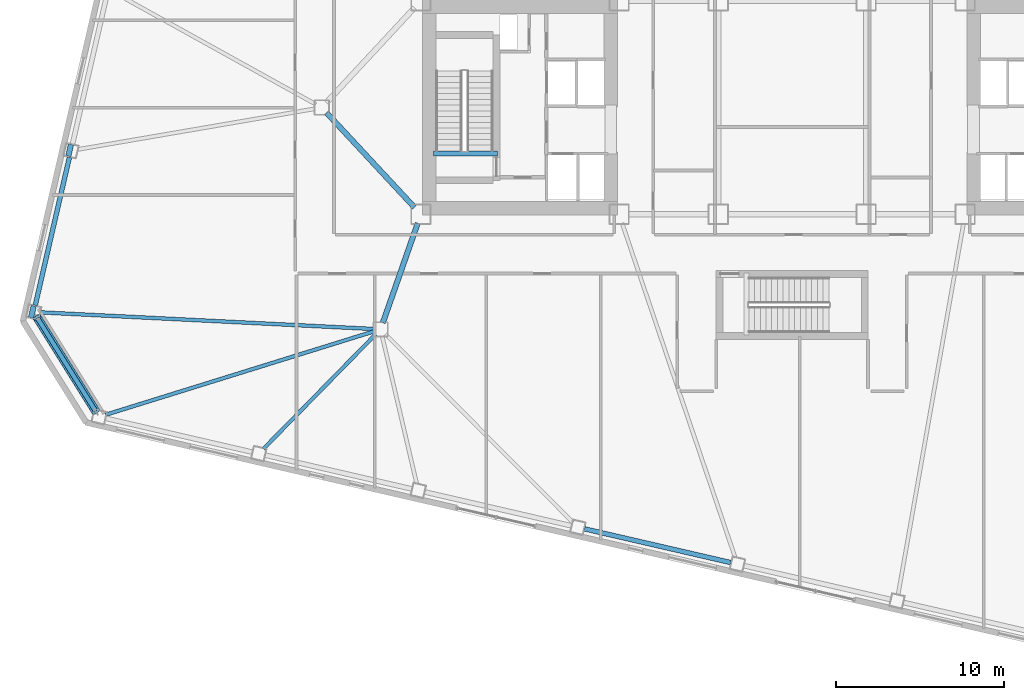
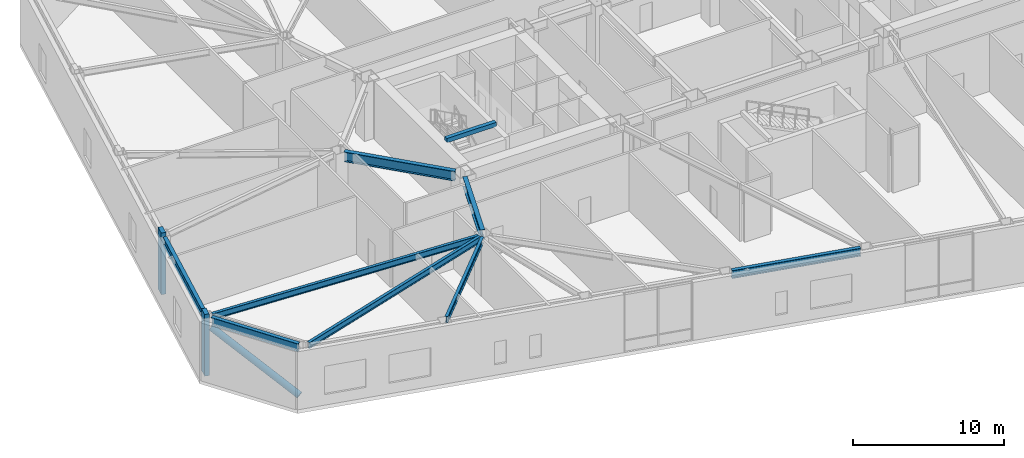
# One storey, part 3 of 20: 9 beams, 3 members.
"""IFC4 building model written with IfcOpenShell, lengths in metres."""

from ifc_helpers import new_model, si_unit, direction, frame, origin, origin_2d, place, context, subcontext, project, spatial, rectangle, hollow_circle, i_section, extrude, material, material_profile, profile_set, type_object, element, save


model = new_model("IFC4")

# Units and contexts
model_context = context("Model", 3, precision=1e-05, world=origin(), true_north=direction((0.0, 1.0)))
body_context = subcontext(model_context, "Body", "Model", "MODEL_VIEW")
ifc_project = project(units=[si_unit("LENGTHUNIT", "METRE"), si_unit("AREAUNIT", "SQUARE_METRE"), si_unit("VOLUMEUNIT", "CUBIC_METRE"), si_unit("PLANEANGLEUNIT", "RADIAN"), si_unit("MASSUNIT", "GRAM", prefix="KILO")], contexts=[model_context])

# Site, building, storey
site_placement = place(None, origin())
site = spatial("IfcSite", under=ifc_project, at=site_placement, CompositionType="ELEMENT")
building_placement = place(site_placement, origin())
building = spatial("IfcBuilding", under=site, at=building_placement, Name="Tavrogorsk Clinical Tower", CompositionType="ELEMENT")
storey_placement = place(building_placement, frame((0.0, 0.0, 13.39990234375)))
storey = spatial("IfcBuildingStorey", under=building, at=storey_placement, Name="L02", CompositionType="ELEMENT", Elevation=13.39990234375)

# Member
ifc_material_1 = material(Name="Structural steel S440", Category="steel")
ifc_material_profile_1 = material_profile(ifc_material_1, hollow_circle(Radius=0.25390625, WallThickness=0.02001953125, at=origin_2d()), Name="CHS-508x20")
ifc_profile_set_1 = profile_set([ifc_material_profile_1], Name="Structural steel S440")
member_type_1 = type_object("IfcMemberType", Name="ExoBrace_CHS508", PredefinedType="BRACE", material=ifc_profile_set_1)
member_placement = place(storey_placement, frame((-41.4443359375, -18.096923828125, 0.4833984375), z_axis=(-0.473378094772, 0.757569547634, 0.449445836434), x_axis=(-0.848050056862, -0.529916126436, 0.0)))
element("IfcMember", 1, at=member_placement, inside=storey, type_object=member_type_1, Name="L02 Corner Exoskeleton Brace W5-S1", PredefinedType="BRACE", context=body_context, shape_type="SweptSolid", body=[
    extrude(hollow_circle(Radius=0.25390625, WallThickness=0.02001953125, at=origin_2d()), origin(), (0.0, 0.0, 1.0), 7.416259765625),
])

# Beams
ifc_material_2 = material(Name="Structural steel S355", Category="steel")
ifc_material_profile_2 = material_profile(ifc_material_2, i_section(OverallWidth=0.219970703125, OverallDepth=0.5, WebThickness=0.012939453125, FlangeThickness=0.02001953125, at=origin_2d()), Name="B-500x220x13x20")
ifc_profile_set_2 = profile_set([ifc_material_profile_2], Name="Structural steel S355")
beam_type_1 = type_object("IfcBeamType", Name="FloorBeam_B500", PredefinedType="BEAM", material=ifc_profile_set_2)
beam_1_placement = place(storey_placement, frame((-24.8916015625, -13.32177734375, 4.4501953125), z_axis=(-0.954946638684, -0.296777555193, 0.0), x_axis=(0.296777555193, -0.954946638684, 0.0)))
element("IfcBeam", 2, at=beam_1_placement, inside=storey, type_object=beam_type_1, Name="L02 Radial Floor Beam S1", PredefinedType="BEAM", context=body_context, shape_type="SweptSolid", body=[
    extrude(i_section(OverallWidth=0.219970703125, OverallDepth=0.5, WebThickness=0.012939453125, FlangeThickness=0.02001953125, at=origin_2d()), origin(), (0.0, 0.0, 1.0), 16.723388671875),
])
beam_2_placement = place(storey_placement, frame((-24.787109375, -13.492919921875, 4.4501953125), z_axis=(-0.699997226081, -0.714145561828, 0.0), x_axis=(0.714145561828, -0.699997226081, 0.0)))
element("IfcBeam", 3, at=beam_2_placement, inside=storey, type_object=beam_type_1, Name="L02 Radial Floor Beam S2", PredefinedType="BEAM", context=body_context, shape_type="SweptSolid", body=[
    extrude(i_section(OverallWidth=0.219970703125, OverallDepth=0.5, WebThickness=0.012939453125, FlangeThickness=0.02001953125, at=origin_2d()), origin(), (0.0, 0.0, 1.0), 9.54248046875),
])
beam_3_placement = place(storey_placement, frame((-24.909423828125, -13.179443359375, 4.4501953125), z_axis=(-0.998757515428, 0.049833978136, 0.0), x_axis=(-0.049833978136, -0.998757515428, 0.0)))
element("IfcBeam", 4, at=beam_3_placement, inside=storey, type_object=beam_type_1, Name="L02 Radial Floor Beam W5", PredefinedType="BEAM", context=body_context, shape_type="SweptSolid", body=[
    extrude(i_section(OverallWidth=0.219970703125, OverallDepth=0.5, WebThickness=0.012939453125, FlangeThickness=0.02001953125, at=origin_2d()), origin(), (0.0, 0.0, 1.0), 19.85595703125),
])

# Members
ifc_material_3 = material(Name="Precast concrete B45 with limestone cladding", Category="masonry")
ifc_material_profile_3 = material_profile(ifc_material_3, rectangle(XDim=0.320068359375, YDim=0.719970703125, at=origin_2d()), Name="LIMESTONE-FIN-320x720")
ifc_profile_set_3 = profile_set([ifc_material_profile_3], Name="Precast concrete B45 with limestone cladding")
member_type_2 = type_object("IfcMemberType", Name="LimestonePleatFin_320x720", PredefinedType="USERDEFINED", material=ifc_profile_set_3)
for number, where, z_axis, x_axis, name in (
    (5, (-43.008056640625, -2.544189453125, 0.0), (0.0, 0.0, 1.0), (0.974370064785, -0.224951054344, 0.0), "L02 W Pleated Stone Fin 3"),
    (6, (-45.226318359375, -12.151611328125, 0.0), (0.0, 0.0, 1.0), (0.974370064785, -0.224951054344, 0.0), "L02 W Pleated Stone Fin 4"),
):
    element("IfcMember", number, at=place(storey_placement, frame(where, z_axis=z_axis, x_axis=x_axis)), inside=storey, type_object=member_type_2, Name=name, ObjectType="FIN", PredefinedType="USERDEFINED", context=body_context, shape_type="SweptSolid", body=[
        extrude(rectangle(XDim=0.320068359375, YDim=0.719970703125, at=origin_2d()), origin(), (0.0, 0.0, 1.0), 5.0),
    ])

# Beams
ifc_material_4 = material(Name="Structural steel S390", Category="steel")
ifc_material_profile_4 = material_profile(ifc_material_4, i_section(OverallWidth=0.320068359375, OverallDepth=0.800048828125, WebThickness=0.02001953125, FlangeThickness=0.033935546875, at=origin_2d()), Name="B-800x320x20x34")
ifc_profile_set_4 = profile_set([ifc_material_profile_4], Name="Structural steel S390")
beam_type_2 = type_object("IfcBeamType", Name="PrimaryGirder_B800", PredefinedType="USERDEFINED", material=ifc_profile_set_4)
beam_4_placement = place(storey_placement, frame((-24.364501953125, -12.81298828125, 4.300048828125), z_axis=(0.330668611543, 0.943746930771, 0.0), x_axis=(-0.943746930771, 0.330668611543, 0.0)))
element("IfcBeam", 7, at=beam_4_placement, inside=storey, type_object=beam_type_2, Name="L02 Spine Link Girder OPG-1", ObjectType="GIRDER", PredefinedType="USERDEFINED", context=body_context, shape_type="SweptSolid", body=[
    extrude(i_section(OverallWidth=0.320068359375, OverallDepth=0.800048828125, WebThickness=0.02001953125, FlangeThickness=0.033935546875, at=origin_2d()), origin(), (0.0, 0.0, 1.0), 6.288330078125),
])
beam_5_placement = place(storey_placement, frame((-27.720947265625, -0.30029296875, 4.300048828125), z_axis=(0.680671250221, -0.732589004233, 0.0), x_axis=(0.732589004233, 0.680671250221, 0.0)))
element("IfcBeam", 8, at=beam_5_placement, inside=storey, type_object=beam_type_2, Name="L02 Spine Link Girder OPG-5", ObjectType="GIRDER", PredefinedType="USERDEFINED", context=body_context, shape_type="SweptSolid", body=[
    extrude(i_section(OverallWidth=0.320068359375, OverallDepth=0.800048828125, WebThickness=0.02001953125, FlangeThickness=0.033935546875, at=origin_2d()), origin(), (0.0, 0.0, 1.0), 7.697998046875),
])
ifc_material_5 = material(Name="Structural steel S390", Category="steel")
ifc_material_profile_5 = material_profile(ifc_material_5, i_section(OverallWidth=0.280029296875, OverallDepth=0.64990234375, WebThickness=0.01611328125, FlangeThickness=0.02490234375, at=origin_2d()), Name="B-650x280x16x25")
ifc_profile_set_5 = profile_set([ifc_material_profile_5], Name="Structural steel S390")
beam_type_3 = type_object("IfcBeamType", Name="SpandrelBeam_B650", PredefinedType="SPANDREL", material=ifc_profile_set_5)
beam_6_placement = place(storey_placement, frame((-12.357666015625, -25.07666015625, 4.375), z_axis=(0.974372766602, -0.224939351168, 0.0), x_axis=(0.224939351168, 0.974372766602, 0.0)))
element("IfcBeam", 9, at=beam_6_placement, inside=storey, type_object=beam_type_3, Name="L02 Perimeter Spandrel S4-S5", PredefinedType="SPANDREL", context=body_context, shape_type="SweptSolid", body=[
    extrude(i_section(OverallWidth=0.280029296875, OverallDepth=0.64990234375, WebThickness=0.01611328125, FlangeThickness=0.02490234375, at=origin_2d()), origin(), (0.0, 0.0, 1.0), 8.9326171875),
])
beam_7_placement = place(storey_placement, frame((-43.02197265625, -2.959716796875, 4.375), z_axis=(-0.224971881043, -0.974365256328, 0.0), x_axis=(0.974365256328, -0.224971881043, 0.0)))
element("IfcBeam", 10, at=beam_7_placement, inside=storey, type_object=beam_type_3, Name="L02 Perimeter Spandrel W4-W5", PredefinedType="SPANDREL", context=body_context, shape_type="SweptSolid", body=[
    extrude(i_section(OverallWidth=0.280029296875, OverallDepth=0.64990234375, WebThickness=0.01611328125, FlangeThickness=0.02490234375, at=origin_2d()), origin(), (0.0, 0.0, 1.0), 9.044189453125),
])
beam_8_placement = place(storey_placement, frame((-44.93212890625, -12.515380859375, 4.375), z_axis=(0.529908311255, -0.848054940238, 0.0), x_axis=(0.848054940238, 0.529908311255, 0.0)))
element("IfcBeam", 11, at=beam_8_placement, inside=storey, type_object=beam_type_3, Name="L02 Perimeter Spandrel W5-S1", PredefinedType="SPANDREL", context=body_context, shape_type="SweptSolid", body=[
    extrude(i_section(OverallWidth=0.280029296875, OverallDepth=0.64990234375, WebThickness=0.01611328125, FlangeThickness=0.02490234375, at=origin_2d()), origin(), (0.0, 0.0, 1.0), 6.5380859375),
])
ifc_material_6 = material(Name="Concrete B60", Category="concrete")
ifc_material_profile_6 = material_profile(ifc_material_6, rectangle(XDim=0.300048828125, YDim=0.35009765625, at=origin_2d()), Name="RC-SHB-300x350")
ifc_profile_set_6 = profile_set([ifc_material_profile_6], Name="Concrete B60")
beam_type_4 = type_object("IfcBeamType", Name="StairHeaderBeam_RC300x350", PredefinedType="BEAM", material=ifc_profile_set_6)
beam_9_placement = place(storey_placement, frame((-21.35009765625, -2.719970703125, 4.8251953125), z_axis=(1.0, 0.0, 0.0), x_axis=(0.0, 1.0, 0.0)))
element("IfcBeam", 12, at=beam_9_placement, inside=storey, type_object=beam_type_4, Name="L03 ST-W Landing Header Beam", PredefinedType="BEAM", context=body_context, shape_type="SweptSolid", body=[
    extrude(rectangle(XDim=0.300048828125, YDim=0.35009765625, at=origin_2d()), origin(), (0.0, 0.0, 1.0), 3.800048828125),
])

save(model, "model.ifc")
